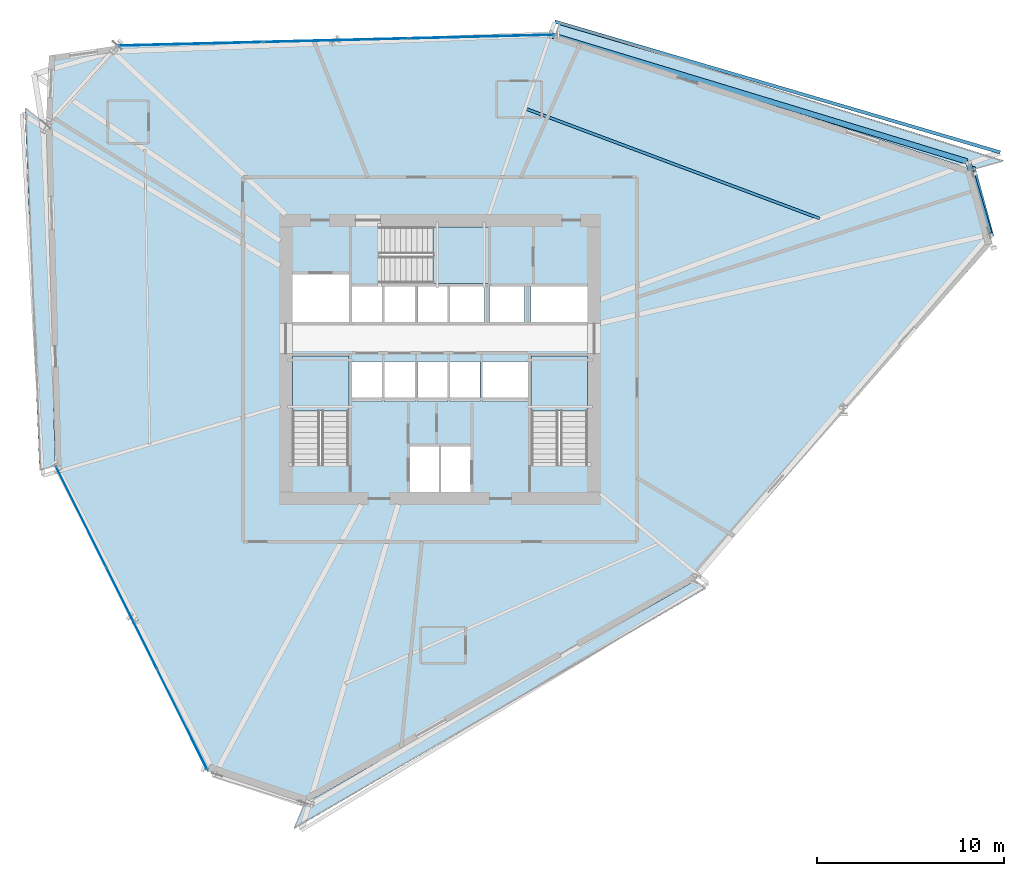
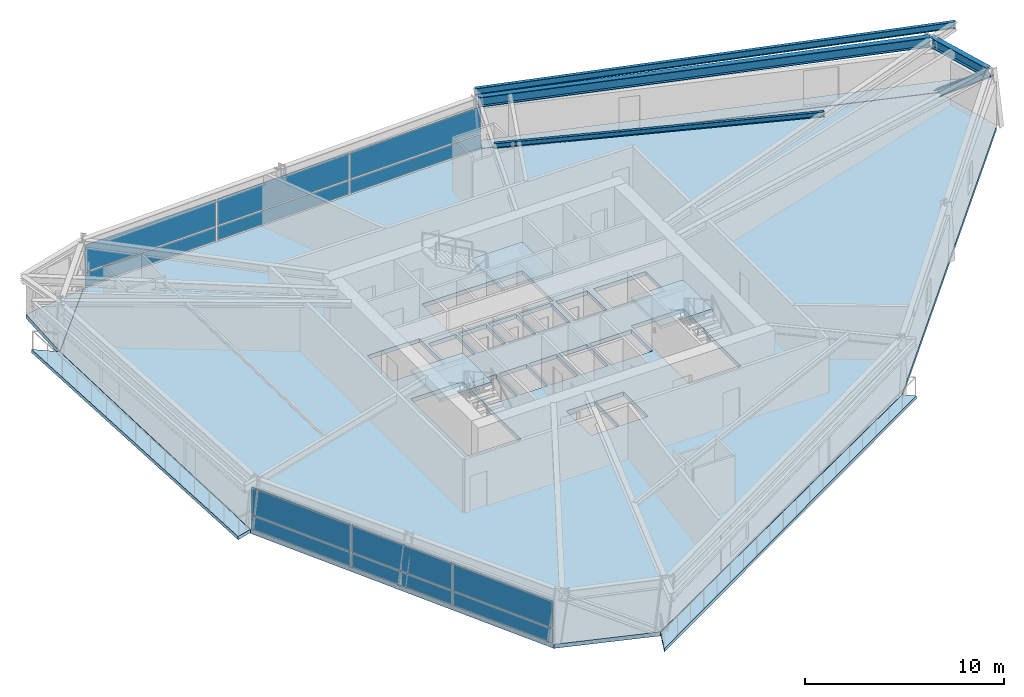
# One storey, part 9 of 20: 12 plates, 8 slabs, 4 beams, 1 member, 5 elements without a shape of their own.
"""IFC4 building model written with IfcOpenShell, lengths in metres."""

from ifc_helpers import new_model, si_unit, direction, frame, origin, origin_2d, place, context, subcontext, project, spatial, polyline, rectangle, i_section, outline, extrude, source, transform, mapped, material, layer, layer_set, material_profile, profile_set, type_object, element, aggregate, save


model = new_model("IFC4")

# Units and contexts
model_context = context("Model", 3, precision=1e-05, world=origin(), true_north=direction((0.0, 1.0)))
body_context = subcontext(model_context, "Body", "Model", "MODEL_VIEW")
ifc_project = project(units=[si_unit("LENGTHUNIT", "METRE"), si_unit("AREAUNIT", "SQUARE_METRE"), si_unit("VOLUMEUNIT", "CUBIC_METRE"), si_unit("PLANEANGLEUNIT", "RADIAN"), si_unit("MASSUNIT", "GRAM", prefix="KILO")], contexts=[model_context])

# Site, building, storey
site_placement = place(None, origin())
site = spatial("IfcSite", under=ifc_project, at=site_placement, CompositionType="ELEMENT")
building_placement = place(site_placement, origin())
building = spatial("IfcBuilding", under=site, at=building_placement, Name="Olszyna Solenne Hotel", CompositionType="ELEMENT")
storey_placement = place(building_placement, frame((0.0, 0.0, 98.60009765625)))
storey = spatial("IfcBuildingStorey", under=building, at=storey_placement, Name="L25", CompositionType="ELEMENT", Elevation=98.60009765625)

# Beams
ifc_material_1 = material(Name="Steel S355J2", Category="steel")
ifc_material_profile_1 = material_profile(ifc_material_1, i_section(OverallWidth=0.300048828125, OverallDepth=0.60009765625, WebThickness=0.015380859375, FlangeThickness=0.030029296875, at=origin_2d()), Name="HEB 600", Category="load-bearing")
ifc_profile_set_1 = profile_set([ifc_material_profile_1], Name="Steel S355J2")
beam_type_1 = type_object("IfcBeamType", Name="BM-S2", PredefinedType="BEAM", material=ifc_profile_set_1)
shared_shape_1 = source(origin(), body_context, "Body", "SweptSolid", [
    extrude(i_section(OverallWidth=0.300048828125, OverallDepth=0.60009765625, WebThickness=0.015380859375, FlangeThickness=0.030029296875, at=origin_2d()), origin(), (0.0, 0.0, 1.0), 3.936767578125),
])
beam_1_placement = place(storey_placement, frame((67.39501953125, 33.343505859375, 3.0), z_axis=(-0.281545133896, 0.959547986074, 0.0), x_axis=(-0.959547986074, -0.281545133896, 0.0)))
element("IfcBeam", 1, at=beam_1_placement, inside=storey, type_object=beam_type_1, Name="Perimeter spandrel beam BM-S2 B-L25-0750", PredefinedType="BEAM", context=body_context, shape_type="MappedRepresentation", body=[
    mapped(shared_shape_1, transform((0.0, 0.0, 0.0), x_axis=(1.0, 0.0, 0.0), y_axis=(0.0, 1.0, 0.0), z_axis=(0.0, 0.0, 1.0), scale=1.0)),
])
shared_shape_2 = source(origin(), body_context, "Body", "SweptSolid", [
    extrude(i_section(OverallWidth=0.300048828125, OverallDepth=0.60009765625, WebThickness=0.015380859375, FlangeThickness=0.030029296875, at=origin_2d()), origin(), (0.0, 0.0, 1.0), 23.29638671875),
])
beam_2_placement = place(storey_placement, frame((66.21240234375, 37.196044921875, 3.0), z_axis=(-0.956748095944, 0.29091765314, 0.0), x_axis=(-0.29091765314, -0.956748095944, 0.0)))
element("IfcBeam", 2, at=beam_2_placement, inside=storey, type_object=beam_type_1, Name="Perimeter spandrel beam BM-S2 B-L25-0751", PredefinedType="BEAM", context=body_context, shape_type="MappedRepresentation", body=[
    mapped(shared_shape_2, transform((0.0, 0.0, 0.0), x_axis=(1.0, 0.0, 0.0), y_axis=(0.0, 1.0, 0.0), z_axis=(0.0, 0.0, 1.0), scale=1.0)),
])
ifc_material_profile_2 = material_profile(ifc_material_1, i_section(OverallWidth=0.14990234375, OverallDepth=0.300048828125, WebThickness=0.007080078125, FlangeThickness=0.0107421875, at=origin_2d()), Name="IPE 300", Category="load-bearing")
ifc_profile_set_2 = profile_set([ifc_material_profile_2], Name="Steel S355J2")
beam_type_2 = type_object("IfcBeamType", Name="JS-02", PredefinedType="JOIST", material=ifc_profile_set_2)
shared_shape_3 = source(origin(), body_context, "Body", "SweptSolid", [
    extrude(i_section(OverallWidth=0.14990234375, OverallDepth=0.300048828125, WebThickness=0.007080078125, FlangeThickness=0.0107421875, at=origin_2d()), origin(), (0.0, 0.0, 1.0), 16.806884765625),
])
beam_3_placement = place(storey_placement, frame((58.317138671875, 34.145751953125, 3.14990234375), z_axis=(-0.936746984717, 0.35000726653, 0.0), x_axis=(-0.35000726653, -0.936746984717, 0.0)))
element("IfcBeam", 3, at=beam_3_placement, inside=storey, type_object=beam_type_2, Name="Secondary composite floor joist JS-02 B-L25-0774", PredefinedType="JOIST", context=body_context, shape_type="MappedRepresentation", body=[
    mapped(shared_shape_3, transform((0.0, 0.0, 0.0), x_axis=(1.0, 0.0, 0.0), y_axis=(0.0, 1.0, 0.0), z_axis=(0.0, 0.0, 1.0), scale=1.0)),
])
ifc_material_profile_3 = material_profile(ifc_material_1, i_section(OverallWidth=0.179931640625, OverallDepth=0.39990234375, WebThickness=0.008544921875, FlangeThickness=0.013427734375, at=origin_2d()), Name="IPE 400", Category="load-bearing")
ifc_profile_set_3 = profile_set([ifc_material_profile_3], Name="Steel S355J2")
beam_type_3 = type_object("IfcBeamType", Name="BM-F5", PredefinedType="BEAM", material=ifc_profile_set_3)
shared_shape_4 = source(origin(), body_context, "Body", "SweptSolid", [
    extrude(i_section(OverallWidth=0.179931640625, OverallDepth=0.39990234375, WebThickness=0.008544921875, FlangeThickness=0.013427734375, at=origin_2d()), origin(), (0.0, 0.0, 1.0), 24.840576171875),
])
beam_4_placement = place(storey_placement, frame((67.976318359375, 37.68798828125, 3.099853515625), z_axis=(-0.959508577153, 0.281679410626, 0.0), x_axis=(-0.281679410626, -0.959508577153, 0.0)))
element("IfcBeam", 4, at=beam_4_placement, inside=storey, type_object=beam_type_3, Name="Loggia outer edge beam BM-F5 B-L25-0777", PredefinedType="BEAM", context=body_context, shape_type="MappedRepresentation", body=[
    mapped(shared_shape_4, transform((0.0, 0.0, 0.0), x_axis=(1.0, 0.0, 0.0), y_axis=(0.0, 1.0, 0.0), z_axis=(0.0, 0.0, 1.0), scale=1.0)),
])

# Member
ifc_material_2 = material(Name="Steel S460M", Category="steel")
ifc_material_profile_4 = material_profile(ifc_material_2, i_section(OverallWidth=0.406005859375, OverallDepth=0.416015625, WebThickness=0.026611328125, FlangeThickness=0.04150390625, at=origin_2d()), Name="HD 400x382", Category="load-bearing")
ifc_profile_set_4 = profile_set([ifc_material_profile_4], Name="Steel S460M")
member_type = type_object("IfcMemberType", Name="BR-T2", PredefinedType="BRACE", material=ifc_profile_set_4)
shared_shape_5 = source(origin(), body_context, "Body", "SweptSolid", [
    extrude(i_section(OverallWidth=0.406005859375, OverallDepth=0.416015625, WebThickness=0.026611328125, FlangeThickness=0.04150390625, at=origin_2d()), origin(), (0.0, 0.0, 1.0), 4.663330078125),
])
member_placement = place(storey_placement, frame((66.4697265625, 36.763916015625, 0.010009765625), z_axis=(0.202035855841, -0.745841617599, 0.634745456393), x_axis=(0.965214261308, 0.261460187729, 0.0)))
element("IfcMember", 5, at=member_placement, inside=storey, type_object=member_type, Name="Perimeter braced-tube diagonal BR-T2 BR-L25-1", PredefinedType="BRACE", context=body_context, shape_type="MappedRepresentation", body=[
    mapped(shared_shape_5, transform((0.0, 0.0, 0.0), x_axis=(1.0, 0.0, 0.0), y_axis=(0.0, 1.0, 0.0), z_axis=(0.0, 0.0, 1.0), scale=1.0)),
])

# Stair, slab
ifc_material_3 = material(Name="Concrete C40/50", Category="concrete")
stair_type = type_object("IfcStairType", Name="STR-C1", PredefinedType="TWO_QUARTER_WINDING_STAIR", material=ifc_material_3)
stair_1_placement = place(storey_placement, origin())
stair_1 = element("IfcStair", 6, at=stair_1_placement, inside=storey, type_object=stair_type, Name="L25 ST1", PredefinedType="TWO_QUARTER_WINDING_STAIR")
ifc_layer_1 = layer(ifc_material_3, 0.18994140625, Name="Concrete C40/50")
ifc_layer_set_1 = layer_set([ifc_layer_1], Name="Concrete C40/50")
slab_type_1 = type_object("IfcSlabType", Name="SL-LN190", PredefinedType="LANDING", material=ifc_layer_set_1)
slab_1_placement = place(storey_placement, frame((0.0, 0.0, 1.574951171875)))
slab_1 = element("IfcSlab", 7, at=slab_1_placement, type_object=slab_type_1, Name="ST1 landing 1", PredefinedType="LANDING", context=body_context, shape_type="SweptSolid", body=[
    extrude(outline(polyline([(33.1201171875, 23.85009765625), (33.1201171875, 26.800048828125), (30.10009765625, 26.800048828125), (30.10009765625, 23.85009765625), (33.1201171875, 23.85009765625)])), origin(), (0.0, 0.0, 1.0), 0.199951171875),
])
aggregate(stair_1, [slab_1])

stair_2_placement = place(storey_placement, origin())
stair_2 = element("IfcStair", 8, at=stair_2_placement, inside=storey, type_object=stair_type, Name="L25 ST2", PredefinedType="TWO_QUARTER_WINDING_STAIR")
slab_2_placement = place(storey_placement, frame((0.0, 0.0, 1.574951171875)))
slab_2 = element("IfcSlab", 9, at=slab_2_placement, type_object=slab_type_1, Name="ST2 landing 1", PredefinedType="LANDING", context=body_context, shape_type="SweptSolid", body=[
    extrude(outline(polyline([(45.89990234375, 23.85009765625), (45.89990234375, 26.800048828125), (42.8798828125, 26.800048828125), (42.8798828125, 23.85009765625), (45.89990234375, 23.85009765625)])), origin(), (0.0, 0.0, 1.0), 0.199951171875),
])
aggregate(stair_2, [slab_2])

stair_3_placement = place(storey_placement, origin())
stair_3 = element("IfcStair", 10, at=stair_3_placement, inside=storey, type_object=stair_type, Name="L25 ST3", PredefinedType="TWO_QUARTER_WINDING_STAIR")
slab_3_placement = place(storey_placement, frame((0.0, 0.0, 1.574951171875)))
slab_3 = element("IfcSlab", 11, at=slab_3_placement, type_object=slab_type_1, Name="ST3 landing 1", PredefinedType="LANDING", context=body_context, shape_type="SweptSolid", body=[
    extrude(outline(polyline([(37.6298828125, 30.679931640625), (40.580078125, 30.679931640625), (40.580078125, 33.699951171875), (37.6298828125, 33.699951171875), (37.6298828125, 30.679931640625)])), origin(), (0.0, 0.0, 1.0), 0.199951171875),
])
aggregate(stair_3, [slab_3])

# Slabs
ifc_material_4 = material(Name="Precast concrete C45/55", Category="concrete")
ifc_layer_2 = layer(ifc_material_4, 0.199951171875, Name="Precast concrete C45/55")
ifc_layer_set_2 = layer_set([ifc_layer_2], Name="Precast concrete C45/55")
slab_type_2 = type_object("IfcSlabType", Name="SL-LOG200", PredefinedType="FLOOR", material=ifc_layer_set_2)
slab_4_placement = place(storey_placement, frame((0.0, 0.0, -0.2001953125)))
element("IfcSlab", 12, at=slab_4_placement, inside=storey, type_object=slab_type_2, Name="Exterior loggia balcony slab SL-L25-LG1", PredefinedType="FLOOR", context=body_context, shape_type="SweptSolid", body=[
    extrude(outline(polyline([(44.165771484375, 43.99462890625), (66.474365234375, 36.7783203125), (66.4755859375, 36.777587890625), (66.47705078125, 36.777099609375), (66.478271484375, 36.776123046875), (66.4794921875, 36.775390625), (66.48046875, 36.7744140625), (66.4814453125, 36.773193359375), (66.482421875, 36.77197265625), (66.483154296875, 36.770751953125), (66.483642578125, 36.769287109375), (66.484130859375, 36.76806640625), (68.18408203125, 37.24658203125), (44.4462890625, 44.67041015625), (44.165771484375, 43.99462890625)])), origin(), (0.0, 0.0, 1.0), 0.2001953125),
])
slab_5_placement = place(storey_placement, frame((0.0, 0.0, -0.2001953125)))
element("IfcSlab", 13, at=slab_5_placement, inside=storey, type_object=slab_type_2, Name="Exterior loggia balcony slab SL-L25-LG2", PredefinedType="FLOOR", context=body_context, shape_type="SweptSolid", body=[
    extrude(outline(polyline([(17.405517578125, 20.922119140625), (17.4052734375, 20.922607421875), (17.40478515625, 20.92431640625), (17.40478515625, 20.92578125), (16.8994140625, 39.1826171875), (16.8994140625, 39.18359375), (16.89990234375, 39.194580078125), (15.7724609375, 40.07958984375), (16.562744140625, 20.68505859375), (17.405517578125, 20.922119140625)])), origin(), (0.0, 0.0, 1.0), 0.2001953125),
])
slab_6_placement = place(storey_placement, frame((0.0, 0.0, -0.2001953125)))
element("IfcSlab", 14, at=slab_6_placement, inside=storey, type_object=slab_type_2, Name="Exterior loggia balcony slab SL-L25-LG3", PredefinedType="FLOOR", context=body_context, shape_type="SweptSolid", body=[
    extrude(outline(polyline([(51.662109375, 14.770751953125), (51.661376953125, 14.770263671875), (51.660400390625, 14.76904296875), (51.658935546875, 14.76806640625), (51.65771484375, 14.76708984375), (30.769287109375, 2.84521484375), (30.76806640625, 2.844482421875), (30.7666015625, 2.843994140625), (30.765380859375, 2.843505859375), (30.763916015625, 2.84326171875), (30.7626953125, 2.843017578125), (30.76123046875, 2.843017578125), (30.759765625, 2.84326171875), (30.75830078125, 2.843505859375), (30.757080078125, 2.843994140625), (30.756103515625, 2.84423828125), (30.189453125, 1.47900390625), (52.22119140625, 14.331787109375), (51.662109375, 14.770751953125)])), origin(), (0.0, 0.0, 1.0), 0.2001953125),
])
ifc_material_5 = material(Name="Concrete C50/60", Category="concrete")
ifc_layer_3 = layer(ifc_material_5, 0.25, Name="Concrete C50/60")
ifc_layer_set_3 = layer_set([ifc_layer_3], Name="Concrete C50/60")
slab_type_3 = type_object("IfcSlabType", Name="SL-TW250", PredefinedType="FLOOR", material=ifc_layer_set_3)
slab_7_placement = place(storey_placement, frame((0.0, 0.0, -0.25)))
element("IfcSlab", 15, at=slab_7_placement, inside=storey, type_object=slab_type_3, Name="Floor slab SL-TW250 SL-L25-01", PredefinedType="FLOOR", context=body_context, shape_type="SweptSolid", body=[
    extrude(outline(polyline([(67.560791015625, 32.816650390625), (66.4697265625, 36.763916015625), (44.159912109375, 43.980712890625), (20.719482421875, 43.39453125), (16.914306640625, 39.18310546875), (17.419921875, 20.92626953125), (25.573974609375, 4.583740234375), (30.76171875, 2.858154296875), (51.650146484375, 14.780029296875), (67.560791015625, 32.816650390625)]), holes=[polyline([(30.10009765625, 20.949951171875), (33.1201171875, 20.949951171875), (33.1201171875, 26.800048828125), (30.10009765625, 26.800048828125), (30.10009765625, 20.949951171875)]), polyline([(42.8798828125, 20.949951171875), (45.89990234375, 20.949951171875), (45.89990234375, 26.800048828125), (42.8798828125, 26.800048828125), (42.8798828125, 20.949951171875)]), polyline([(34.72998046875, 30.679931640625), (40.580078125, 30.679931640625), (40.580078125, 33.699951171875), (34.72998046875, 33.699951171875), (34.72998046875, 30.679931640625)]), polyline([(36.340087890625, 19.5), (37.9599609375, 19.5), (37.9599609375, 21.9599609375), (36.340087890625, 21.9599609375), (36.340087890625, 19.5)]), polyline([(38.0400390625, 19.5), (39.659912109375, 19.5), (39.659912109375, 21.9599609375), (38.0400390625, 21.9599609375), (38.0400390625, 19.5)]), polyline([(30.10009765625, 28.60009765625), (33.1201171875, 28.60009765625), (33.1201171875, 31.159912109375), (30.10009765625, 31.159912109375), (30.10009765625, 28.60009765625)]), polyline([(33.280029296875, 24.360107421875), (34.89990234375, 24.360107421875), (34.89990234375, 26.5), (33.280029296875, 26.5), (33.280029296875, 24.360107421875)]), polyline([(35.030029296875, 24.360107421875), (36.64990234375, 24.360107421875), (36.64990234375, 26.5), (35.030029296875, 26.5), (35.030029296875, 24.360107421875)]), polyline([(36.780029296875, 24.360107421875), (38.39990234375, 24.360107421875), (38.39990234375, 26.5), (36.780029296875, 26.5), (36.780029296875, 24.360107421875)]), polyline([(38.530029296875, 24.360107421875), (40.14990234375, 24.360107421875), (40.14990234375, 26.5), (38.530029296875, 26.5), (38.530029296875, 24.360107421875)]), polyline([(40.280029296875, 24.360107421875), (42.719970703125, 24.360107421875), (42.719970703125, 26.5), (40.280029296875, 26.5), (40.280029296875, 24.360107421875)]), polyline([(33.280029296875, 28.60009765625), (34.89990234375, 28.60009765625), (34.89990234375, 30.550048828125), (33.280029296875, 30.550048828125), (33.280029296875, 28.60009765625)]), polyline([(35.030029296875, 28.60009765625), (36.64990234375, 28.60009765625), (36.64990234375, 30.550048828125), (35.030029296875, 30.550048828125), (35.030029296875, 28.60009765625)]), polyline([(36.780029296875, 28.60009765625), (38.39990234375, 28.60009765625), (38.39990234375, 30.550048828125), (36.780029296875, 30.550048828125), (36.780029296875, 28.60009765625)]), polyline([(38.530029296875, 28.60009765625), (40.389892578125, 28.60009765625), (40.389892578125, 30.550048828125), (38.530029296875, 30.550048828125), (38.530029296875, 28.60009765625)]), polyline([(40.659912109375, 28.60009765625), (42.52001953125, 28.60009765625), (42.52001953125, 30.550048828125), (40.659912109375, 30.550048828125), (40.659912109375, 28.60009765625)]), polyline([(42.8798828125, 28.60009765625), (45.89990234375, 28.60009765625), (45.89990234375, 30.550048828125), (42.8798828125, 30.550048828125), (42.8798828125, 28.60009765625)])]), origin(), (0.0, 0.0, 1.0), 0.25),
])
slab_8_placement = place(storey_placement, frame((0.0, 0.0, -0.25)))
element("IfcSlab", 16, at=slab_8_placement, inside=storey, type_object=slab_type_3, Name="Faceted glass-prism floor slab SL-L25-PR", PredefinedType="FLOOR", context=body_context, shape_type="SweptSolid", body=[
    extrude(outline(polyline([(16.9150390625, 39.19873046875), (20.703857421875, 43.39208984375), (17.0732421875, 42.8642578125), (16.9150390625, 39.19873046875)])), origin(), (0.0, 0.0, 1.0), 0.25),
])

# Curtain wall, plates
ifc_material_6 = material(Name="Anodised bronze aluminium", Category="aluminium")
curtain_wall_type = type_object("IfcCurtainWallType", Name="CW-SYS-3", PredefinedType="NOTDEFINED", material=ifc_material_6)
curtain_wall_1_placement = place(storey_placement, origin())
curtain_wall_1 = element("IfcCurtainWall", 17, at=curtain_wall_1_placement, inside=storey, type_object=curtain_wall_type, Name="Unitised curtain wall CW-SYS-3 CW-L25-01", PredefinedType="NOTDEFINED")
ifc_material_7 = material(Name="Terracotta cladding", Category="masonry")
plate_type_1 = type_object("IfcPlateType", Name="PN-SP1", PredefinedType="CURTAIN_PANEL", material=ifc_material_7)
shared_shape_6 = source(origin(), body_context, "Body", "SweptSolid", [
    extrude(rectangle(XDim=5.975341796875, YDim=0.035888671875, at=origin_2d()), origin(), (0.0, 0.0, 1.0), 0.83740234375),
])
plate_1_placement = place(storey_placement, frame((18.787109375, 18.185791015625, 0.074951171875), z_axis=(0.0, 0.0, 1.0), x_axis=(0.446466609186, -0.894800294413, 0.0)))
plate_1 = element("IfcPlate", 18, at=plate_1_placement, type_object=plate_type_1, Name="Curtain-wall panel PN-SP1 CP-L25-01-01", PredefinedType="CURTAIN_PANEL", context=body_context, shape_type="MappedRepresentation", body=[
    mapped(shared_shape_6, transform((0.0, 0.0, 0.0), x_axis=(1.0, 0.0, 0.0), y_axis=(0.0, 1.0, 0.0), z_axis=(0.0, 0.0, 1.0), scale=1.0)),
])
plate_2_placement = place(storey_placement, frame((24.20654296875, 7.32421875, 0.074951171875), z_axis=(0.0, 0.0, 1.0), x_axis=(0.446466609186, -0.894800294413, 0.0)))
plate_2 = element("IfcPlate", 19, at=plate_2_placement, type_object=plate_type_1, Name="Curtain-wall panel PN-SP1 CP-L25-01-05", PredefinedType="CURTAIN_PANEL", context=body_context, shape_type="MappedRepresentation", body=[
    mapped(shared_shape_6, transform((0.0, 0.0, 0.0), x_axis=(1.0, 0.0, 0.0), y_axis=(0.0, 1.0, 0.0), z_axis=(0.0, 0.0, 1.0), scale=1.0)),
])
ifc_material_8 = material(Name="Low-E triple glazing", Category="glass")
plate_type_2 = type_object("IfcPlateType", Name="PN-GL1", PredefinedType="CURTAIN_PANEL", material=ifc_material_8)
shared_shape_7 = source(origin(), body_context, "Body", "SweptSolid", [
    extrude(rectangle(XDim=5.975341796875, YDim=0.035888671875, at=origin_2d()), origin(), (0.0, 0.0, 1.0), 1.62939453125),
])
plate_3_placement = place(storey_placement, frame((18.787109375, 18.185791015625, 0.987548828125), z_axis=(0.0, 0.0, 1.0), x_axis=(0.446466609186, -0.894800294413, 0.0)))
plate_3 = element("IfcPlate", 20, at=plate_3_placement, type_object=plate_type_2, Name="Curtain-wall panel PN-GL1 CP-L25-01-02", PredefinedType="CURTAIN_PANEL", context=body_context, shape_type="MappedRepresentation", body=[
    mapped(shared_shape_7, transform((0.0, 0.0, 0.0), x_axis=(1.0, 0.0, 0.0), y_axis=(0.0, 1.0, 0.0), z_axis=(0.0, 0.0, 1.0), scale=1.0)),
])
plate_4_placement = place(storey_placement, frame((24.20654296875, 7.32421875, 0.987548828125), z_axis=(0.0, 0.0, 1.0), x_axis=(0.446466609186, -0.894800294413, 0.0)))
plate_4 = element("IfcPlate", 21, at=plate_4_placement, type_object=plate_type_2, Name="Curtain-wall panel PN-GL1 CP-L25-01-06", PredefinedType="CURTAIN_PANEL", context=body_context, shape_type="MappedRepresentation", body=[
    mapped(shared_shape_7, transform((0.0, 0.0, 0.0), x_axis=(1.0, 0.0, 0.0), y_axis=(0.0, 1.0, 0.0), z_axis=(0.0, 0.0, 1.0), scale=1.0)),
])
shared_shape_8 = source(origin(), body_context, "Body", "SweptSolid", [
    extrude(rectangle(XDim=6.012939453125, YDim=0.035888671875, at=origin_2d()), origin(), (0.0, 0.0, 1.0), 0.83740234375),
])
plate_5_placement = place(storey_placement, frame((21.496826171875, 12.755126953125, 0.074951171875), z_axis=(0.0, 0.0, 1.0), x_axis=(0.446466609186, -0.894800294413, 0.0)))
plate_5 = element("IfcPlate", 22, at=plate_5_placement, type_object=plate_type_1, Name="Curtain-wall panel PN-SP1 CP-L25-01-03", PredefinedType="CURTAIN_PANEL", context=body_context, shape_type="MappedRepresentation", body=[
    mapped(shared_shape_8, transform((0.0, 0.0, 0.0), x_axis=(1.0, 0.0, 0.0), y_axis=(0.0, 1.0, 0.0), z_axis=(0.0, 0.0, 1.0), scale=1.0)),
])
shared_shape_9 = source(origin(), body_context, "Body", "SweptSolid", [
    extrude(rectangle(XDim=6.012939453125, YDim=0.035888671875, at=origin_2d()), origin(), (0.0, 0.0, 1.0), 1.62939453125),
])
plate_6_placement = place(storey_placement, frame((21.496826171875, 12.755126953125, 0.987548828125), z_axis=(0.0, 0.0, 1.0), x_axis=(0.446466609186, -0.894800294413, 0.0)))
plate_6 = element("IfcPlate", 23, at=plate_6_placement, type_object=plate_type_2, Name="Curtain-wall panel PN-GL1 CP-L25-01-04", PredefinedType="CURTAIN_PANEL", context=body_context, shape_type="MappedRepresentation", body=[
    mapped(shared_shape_9, transform((0.0, 0.0, 0.0), x_axis=(1.0, 0.0, 0.0), y_axis=(0.0, 1.0, 0.0), z_axis=(0.0, 0.0, 1.0), scale=1.0)),
])
aggregate(curtain_wall_1, [plate_1, plate_3, plate_5, plate_6, plate_2, plate_4])

curtain_wall_2_placement = place(storey_placement, origin())
curtain_wall_2 = element("IfcCurtainWall", 24, at=curtain_wall_2_placement, inside=storey, type_object=curtain_wall_type, Name="Unitised curtain wall CW-SYS-3 CW-L25-02", PredefinedType="NOTDEFINED")
shared_shape_10 = source(origin(), body_context, "Body", "SweptSolid", [
    extrude(rectangle(XDim=7.703369140625, YDim=0.035888671875, at=origin_2d()), origin(), (0.0, 0.0, 1.0), 0.83740234375),
])
plate_7_placement = place(storey_placement, frame((24.64501953125, 43.49267578125, 0.074951171875), z_axis=(0.0, 0.0, 1.0), x_axis=(0.999687449254, 0.025000076063, 0.0)))
plate_7 = element("IfcPlate", 25, at=plate_7_placement, type_object=plate_type_1, Name="Curtain-wall panel PN-SP1 CP-L25-02-01", PredefinedType="CURTAIN_PANEL", context=body_context, shape_type="MappedRepresentation", body=[
    mapped(shared_shape_10, transform((0.0, 0.0, 0.0), x_axis=(1.0, 0.0, 0.0), y_axis=(0.0, 1.0, 0.0), z_axis=(0.0, 0.0, 1.0), scale=1.0)),
])
plate_8_placement = place(storey_placement, frame((40.234375, 43.882568359375, 0.074951171875), z_axis=(0.0, 0.0, 1.0), x_axis=(0.999687449254, 0.025000076063, 0.0)))
plate_8 = element("IfcPlate", 26, at=plate_8_placement, type_object=plate_type_1, Name="Curtain-wall panel PN-SP1 CP-L25-02-05", PredefinedType="CURTAIN_PANEL", context=body_context, shape_type="MappedRepresentation", body=[
    mapped(shared_shape_10, transform((0.0, 0.0, 0.0), x_axis=(1.0, 0.0, 0.0), y_axis=(0.0, 1.0, 0.0), z_axis=(0.0, 0.0, 1.0), scale=1.0)),
])
shared_shape_11 = source(origin(), body_context, "Body", "SweptSolid", [
    extrude(rectangle(XDim=7.703369140625, YDim=0.035888671875, at=origin_2d()), origin(), (0.0, 0.0, 1.0), 1.62939453125),
])
plate_9_placement = place(storey_placement, frame((24.64501953125, 43.49267578125, 0.987548828125), z_axis=(0.0, 0.0, 1.0), x_axis=(0.999687449254, 0.025000076063, 0.0)))
plate_9 = element("IfcPlate", 27, at=plate_9_placement, type_object=plate_type_2, Name="Curtain-wall panel PN-GL1 CP-L25-02-02", PredefinedType="CURTAIN_PANEL", context=body_context, shape_type="MappedRepresentation", body=[
    mapped(shared_shape_11, transform((0.0, 0.0, 0.0), x_axis=(1.0, 0.0, 0.0), y_axis=(0.0, 1.0, 0.0), z_axis=(0.0, 0.0, 1.0), scale=1.0)),
])
plate_10_placement = place(storey_placement, frame((40.234375, 43.882568359375, 0.987548828125), z_axis=(0.0, 0.0, 1.0), x_axis=(0.999687449254, 0.025000076063, 0.0)))
plate_10 = element("IfcPlate", 28, at=plate_10_placement, type_object=plate_type_2, Name="Curtain-wall panel PN-GL1 CP-L25-02-06", PredefinedType="CURTAIN_PANEL", context=body_context, shape_type="MappedRepresentation", body=[
    mapped(shared_shape_11, transform((0.0, 0.0, 0.0), x_axis=(1.0, 0.0, 0.0), y_axis=(0.0, 1.0, 0.0), z_axis=(0.0, 0.0, 1.0), scale=1.0)),
])
shared_shape_12 = source(origin(), body_context, "Body", "SweptSolid", [
    extrude(rectangle(XDim=7.740966796875, YDim=0.035888671875, at=origin_2d()), origin(), (0.0, 0.0, 1.0), 0.83740234375),
])
plate_11_placement = place(storey_placement, frame((32.439697265625, 43.6875, 0.074951171875), z_axis=(0.0, 0.0, 1.0), x_axis=(0.999687449254, 0.025000076063, 0.0)))
plate_11 = element("IfcPlate", 29, at=plate_11_placement, type_object=plate_type_1, Name="Curtain-wall panel PN-SP1 CP-L25-02-03", PredefinedType="CURTAIN_PANEL", context=body_context, shape_type="MappedRepresentation", body=[
    mapped(shared_shape_12, transform((0.0, 0.0, 0.0), x_axis=(1.0, 0.0, 0.0), y_axis=(0.0, 1.0, 0.0), z_axis=(0.0, 0.0, 1.0), scale=1.0)),
])
shared_shape_13 = source(origin(), body_context, "Body", "SweptSolid", [
    extrude(rectangle(XDim=7.740966796875, YDim=0.035888671875, at=origin_2d()), origin(), (0.0, 0.0, 1.0), 1.62939453125),
])
plate_12_placement = place(storey_placement, frame((32.439697265625, 43.6875, 0.987548828125), z_axis=(0.0, 0.0, 1.0), x_axis=(0.999687449254, 0.025000076063, 0.0)))
plate_12 = element("IfcPlate", 30, at=plate_12_placement, type_object=plate_type_2, Name="Curtain-wall panel PN-GL1 CP-L25-02-04", PredefinedType="CURTAIN_PANEL", context=body_context, shape_type="MappedRepresentation", body=[
    mapped(shared_shape_13, transform((0.0, 0.0, 0.0), x_axis=(1.0, 0.0, 0.0), y_axis=(0.0, 1.0, 0.0), z_axis=(0.0, 0.0, 1.0), scale=1.0)),
])
aggregate(curtain_wall_2, [plate_7, plate_9, plate_11, plate_12, plate_8, plate_10])

save(model, "model.ifc")
